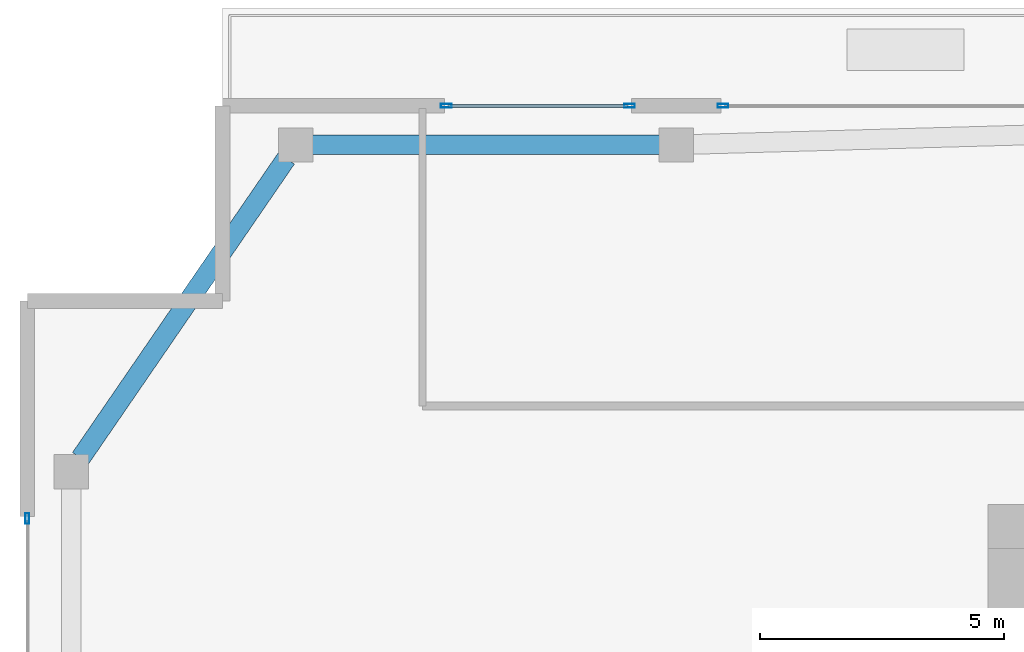
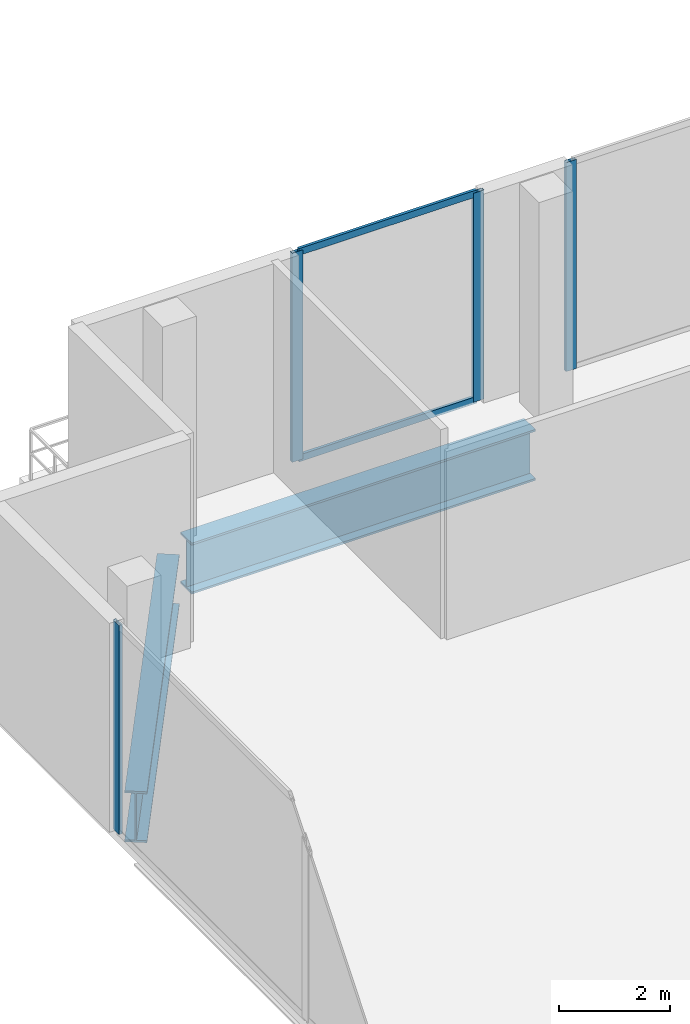
# One storey, part 12 of 28: 6 members, 2 beams, 3 elements without a shape of their own.
"""IFC4 building model written with IfcOpenShell, lengths in metres."""

from ifc_helpers import new_model, si_unit, direction, frame, origin, origin_2d, place, context, subcontext, project, spatial, hollow_rectangle, i_section, extrude, material, layer, layer_set, material_profile, profile_set, type_object, element, aggregate, save


model = new_model("IFC4")

# Units and contexts
model_context = context("Model", 3, precision=1e-05, world=origin(), true_north=direction((0.0, 1.0)))
body_context = subcontext(model_context, "Body", "Model", "MODEL_VIEW")
ifc_project = project(units=[si_unit("LENGTHUNIT", "METRE"), si_unit("AREAUNIT", "SQUARE_METRE"), si_unit("VOLUMEUNIT", "CUBIC_METRE"), si_unit("PLANEANGLEUNIT", "RADIAN"), si_unit("MASSUNIT", "GRAM", prefix="KILO")], contexts=[model_context])

# Site, building, storey
site_placement = place(None, origin())
site = spatial("IfcSite", under=ifc_project, at=site_placement, CompositionType="ELEMENT")
building_placement = place(site_placement, origin())
building = spatial("IfcBuilding", under=site, at=building_placement, Name="Zuhayl Quay Hotel", CompositionType="ELEMENT")
storey_placement = place(building_placement, frame((0.0, 0.0, 22.800048828125)))
storey = spatial("IfcBuildingStorey", under=building, at=storey_placement, Name="L04", CompositionType="ELEMENT", Elevation=22.800048828125)

# Beams
ifc_material_1 = material(Name="Steel ASTM A913 Grade 65", Category="steel")
ifc_material_profile_1 = material_profile(ifc_material_1, i_section(OverallWidth=0.404052734375, OverallDepth=1.117919921875, WebThickness=0.026123046875, FlangeThickness=0.044921875, at=origin_2d()), Name="W44X335")
ifc_profile_set_1 = profile_set([ifc_material_profile_1], Name="Steel ASTM A913 Grade 65")
beam_type = type_object("IfcBeamType", Name="BM_TG1_W44X335", PredefinedType="BEAM", material=ifc_profile_set_1)
beam_1_placement = place(storey_placement, frame((-30.159912109375, 22.199951171875, -0.819091796875), z_axis=(1.0, 0.0, 0.0), x_axis=(0.0, 1.0, 0.0)))
element("IfcBeam", 1, at=beam_1_placement, inside=storey, type_object=beam_type, Name="L04 Floor Beam PG_N_L04_0", PredefinedType="BEAM", context=body_context, shape_type="SweptSolid", body=[
    extrude(i_section(OverallWidth=0.404052734375, OverallDepth=1.117919921875, WebThickness=0.026123046875, FlangeThickness=0.044921875, at=origin_2d()), origin(), (0.0, 0.0, 1.0), 7.119873046875),
])
beam_2_placement = place(storey_placement, frame((-34.90771484375, 15.7802734375, -0.819091796875), z_axis=(0.566026455068, 0.824387076659, 0.0), x_axis=(-0.824387076659, 0.566026455068, 0.0)))
element("IfcBeam", 2, at=beam_2_placement, inside=storey, type_object=beam_type, Name="L04 Floor Beam PG_W_L04_3", PredefinedType="BEAM", context=body_context, shape_type="SweptSolid", body=[
    extrude(i_section(OverallWidth=0.404052734375, OverallDepth=1.117919921875, WebThickness=0.026123046875, FlangeThickness=0.044921875, at=origin_2d()), origin(), (0.0, 0.0, 1.0), 7.447265625),
])

# Curtain wall, member
ifc_material_2 = material(Name="Anodised Aluminium 6063-T6", Category="aluminium")
ifc_layer = layer(ifc_material_2, 0.199951171875, Name="Anodised Aluminium 6063-T6", Category="aluminium")
ifc_layer_set = layer_set([ifc_layer], Name="Anodised Aluminium 6063-T6")
curtain_wall_type = type_object("IfcCurtainWallType", Name="CW_SYS_POD", PredefinedType="USERDEFINED", material=ifc_layer_set)
curtain_wall_1_placement = place(storey_placement, origin())
curtain_wall_1 = element("IfcCurtainWall", 3, at=curtain_wall_1_placement, inside=storey, type_object=curtain_wall_type, Name="L04 Curtain Wall ENV_L04_E02_CW3", ObjectType="UNITISED CURTAIN WALL", PredefinedType="USERDEFINED")
ifc_material_3 = material(Name="Black-anodised aluminium 6063-T6", Category="aluminium")
ifc_material_profile_2 = material_profile(ifc_material_3, hollow_rectangle(XDim=0.074951171875, YDim=0.219970703125, WallThickness=0.00390625, at=origin_2d()), Name="ALU220X75")
ifc_profile_set_2 = profile_set([ifc_material_profile_2], Name="Black-anodised aluminium 6063-T6")
member_type_1 = type_object("IfcMemberType", Name="MB_CW_MUL_220", PredefinedType="MULLION", material=ifc_profile_set_2)
member_1_placement = place(storey_placement, frame((-36.0, 14.54248046875, 0.0), z_axis=(0.0, 0.0, 1.0), x_axis=(-1.0, 0.0, 0.0)))
member_1 = element("IfcMember", 4, at=member_1_placement, type_object=member_type_1, Name="CW-POD mullion 3", PredefinedType="MULLION", context=body_context, shape_type="SweptSolid", body=[
    extrude(hollow_rectangle(XDim=0.074951171875, YDim=0.219970703125, WallThickness=0.00390625, at=origin_2d()), origin(), (0.0, 0.0, 1.0), 4.579833984375),
])
aggregate(curtain_wall_1, [member_1])

# Curtain wall, members
curtain_wall_2_placement = place(storey_placement, origin())
curtain_wall_2 = element("IfcCurtainWall", 5, at=curtain_wall_2_placement, inside=storey, type_object=curtain_wall_type, Name="L04 Curtain Wall ENV_L04_E05_CW1", ObjectType="UNITISED CURTAIN WALL", PredefinedType="USERDEFINED")
member_2_placement = place(storey_placement, frame((-27.41259765625, 23.0, 0.0), z_axis=(0.0, 0.0, 1.0), x_axis=(0.0, 1.0, 0.0)))
member_2 = element("IfcMember", 6, at=member_2_placement, type_object=member_type_1, Name="CW-POD mullion 1", PredefinedType="MULLION", context=body_context, shape_type="SweptSolid", body=[
    extrude(hollow_rectangle(XDim=0.074951171875, YDim=0.219970703125, WallThickness=0.00390625, at=origin_2d()), origin(), (0.0, 0.0, 1.0), 4.579833984375),
])
member_3_placement = place(storey_placement, frame((-23.657470703125, 23.0, 0.0), z_axis=(0.0, 0.0, 1.0), x_axis=(0.0, 1.0, 0.0)))
member_3 = element("IfcMember", 7, at=member_3_placement, type_object=member_type_1, Name="CW-POD mullion 2", PredefinedType="MULLION", context=body_context, shape_type="SweptSolid", body=[
    extrude(hollow_rectangle(XDim=0.074951171875, YDim=0.219970703125, WallThickness=0.00390625, at=origin_2d()), origin(), (0.0, 0.0, 1.0), 4.579833984375),
])

# Curtain wall, member
curtain_wall_3_placement = place(storey_placement, origin())
curtain_wall_3 = element("IfcCurtainWall", 8, at=curtain_wall_3_placement, inside=storey, type_object=curtain_wall_type, Name="L04 Curtain Wall ENV_L04_E05_CW2", ObjectType="UNITISED CURTAIN WALL", PredefinedType="USERDEFINED")
member_4_placement = place(storey_placement, frame((-21.742431640625, 23.0, 0.0), z_axis=(0.0, 0.0, 1.0), x_axis=(0.0, 1.0, 0.0)))
member_4 = element("IfcMember", 9, at=member_4_placement, type_object=member_type_1, Name="CW-POD mullion 1", PredefinedType="MULLION", context=body_context, shape_type="SweptSolid", body=[
    extrude(hollow_rectangle(XDim=0.074951171875, YDim=0.219970703125, WallThickness=0.00390625, at=origin_2d()), origin(), (0.0, 0.0, 1.0), 4.579833984375),
])
aggregate(curtain_wall_3, [member_4])

# Member
ifc_material_profile_3 = material_profile(ifc_material_3, hollow_rectangle(XDim=0.06005859375, YDim=0.14990234375, WallThickness=0.00341796875, at=origin_2d()), Name="ALU150X60")
ifc_profile_set_3 = profile_set([ifc_material_profile_3], Name="Black-anodised aluminium 6063-T6")
member_type_2 = type_object("IfcMemberType", Name="MB_CW_TRN_150", PredefinedType="USERDEFINED", material=ifc_profile_set_3)
member_5_placement = place(storey_placement, frame((-27.375, 23.0, 0.030029296875), z_axis=(1.0, 0.0, 0.0), x_axis=(0.0, 1.0, 0.0)))
member_5 = element("IfcMember", 10, at=member_5_placement, type_object=member_type_2, Name="CW-POD transom 1.1", ObjectType="TRANSOM", PredefinedType="USERDEFINED", context=body_context, shape_type="SweptSolid", body=[
    extrude(hollow_rectangle(XDim=0.06005859375, YDim=0.14990234375, WallThickness=0.00341796875, at=origin_2d()), origin(), (0.0, 0.0, 1.0), 3.679931640625),
])

member_6_placement = place(storey_placement, frame((-27.375, 23.0, 4.550048828125), z_axis=(1.0, 0.0, 0.0), x_axis=(0.0, 1.0, 0.0)))
member_6 = element("IfcMember", 11, at=member_6_placement, type_object=member_type_2, Name="CW-POD transom 1.2", ObjectType="TRANSOM", PredefinedType="USERDEFINED", context=body_context, shape_type="SweptSolid", body=[
    extrude(hollow_rectangle(XDim=0.06005859375, YDim=0.14990234375, WallThickness=0.00341796875, at=origin_2d()), origin(), (0.0, 0.0, 1.0), 3.679931640625),
])

aggregate(curtain_wall_2, [member_2, member_3, member_5, member_6])

save(model, "model.ifc")
